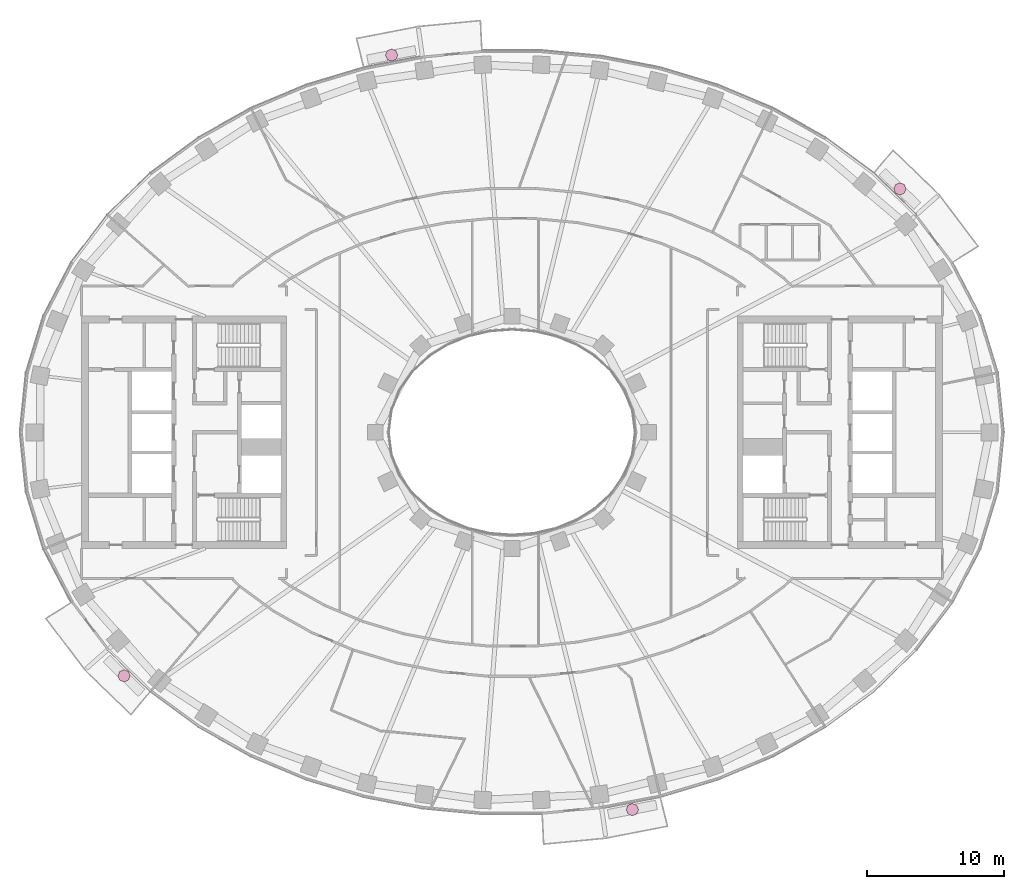
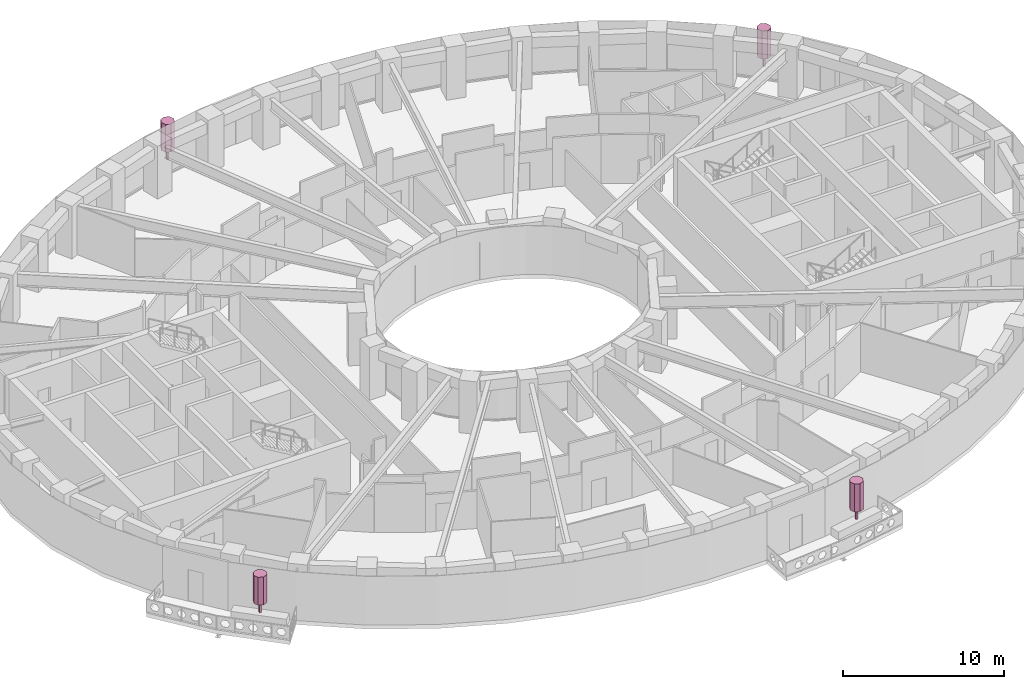
# One storey, part 17 of 17: 4 furnishings.
"""IFC4 building model written with IfcOpenShell, lengths in metres."""

from ifc_helpers import new_model, si_unit, direction, frame, origin, origin_2d, place, context, subcontext, project, spatial, polyline, rectangle, outline, extrude, material, type_object, element, save


model = new_model("IFC4")

# Units and contexts
model_context = context("Model", 3, precision=1e-05, world=origin(), true_north=direction((0.0, 1.0)))
body_context = subcontext(model_context, "Body", "Model", "MODEL_VIEW")
ifc_project = project(units=[si_unit("LENGTHUNIT", "METRE"), si_unit("AREAUNIT", "SQUARE_METRE"), si_unit("VOLUMEUNIT", "CUBIC_METRE"), si_unit("PLANEANGLEUNIT", "RADIAN"), si_unit("MASSUNIT", "GRAM", prefix="KILO")], contexts=[model_context])

# Site, building, storey
site_placement = place(None, origin())
site = spatial("IfcSite", under=ifc_project, at=site_placement, CompositionType="ELEMENT")
building_placement = place(site_placement, origin())
building = spatial("IfcBuilding", under=site, at=building_placement, Name="Noorbagh Ring Tower", CompositionType="ELEMENT")
storey_placement = place(building_placement, frame((0.0, 0.0, 120.0)))
storey = spatial("IfcBuildingStorey", under=building, at=storey_placement, Name="L27", CompositionType="ELEMENT", Elevation=120.0)

# Furnishings
ifc_material = material(Name="Planting foliage green")
furnishing_element_type = type_object("IfcFurnishingElementType", Name="ENV-TREE", material=ifc_material)
for number, where, z_axis, x_axis, name in (
    (1, (28.3837890625, 17.814208984375, 0.60009765625), (0.0, 0.0, 1.0), (1.0, 0.0, 0.0), "Tree BN01"),
    (2, (-8.807861328125, 27.603515625, 0.60009765625), (0.0, 0.0, 1.0), (1.0, 0.0, 0.0), "Tree BN04"),
    (3, (-28.3837890625, -17.814208984375, 0.60009765625), (0.0, 0.0, 1.0), (1.0, 0.0, 0.0), "Tree BS01"),
    (4, (8.807861328125, -27.603515625, 0.60009765625), (0.0, 0.0, 1.0), (1.0, 0.0, 0.0), "Tree BS04"),
):
    element("IfcFurnishingElement", number, at=place(storey_placement, frame(where, z_axis=z_axis, x_axis=x_axis)), inside=storey, type_object=furnishing_element_type, Name=name, context=body_context, shape_type="SweptSolid", body=[
        extrude(rectangle(XDim=0.1201171875, YDim=0.1201171875, at=origin_2d()), origin(), (0.0, 0.0, 1.0), 0.825927734375),
        extrude(outline(polyline([(0.449951171875, 0.0), (0.318115234375, 0.318115234375), (0.0, 0.449951171875), (-0.318115234375, 0.318115234375), (-0.449951171875, 0.0), (-0.318115234375, -0.318115234375), (0.0, -0.449951171875), (0.318115234375, -0.318115234375), (0.449951171875, 0.0)])), frame((0.0, 0.0, 0.825927734375)), (0.0, 0.0, 1.0), 2.1240234375),
    ])

save(model, "model.ifc")
